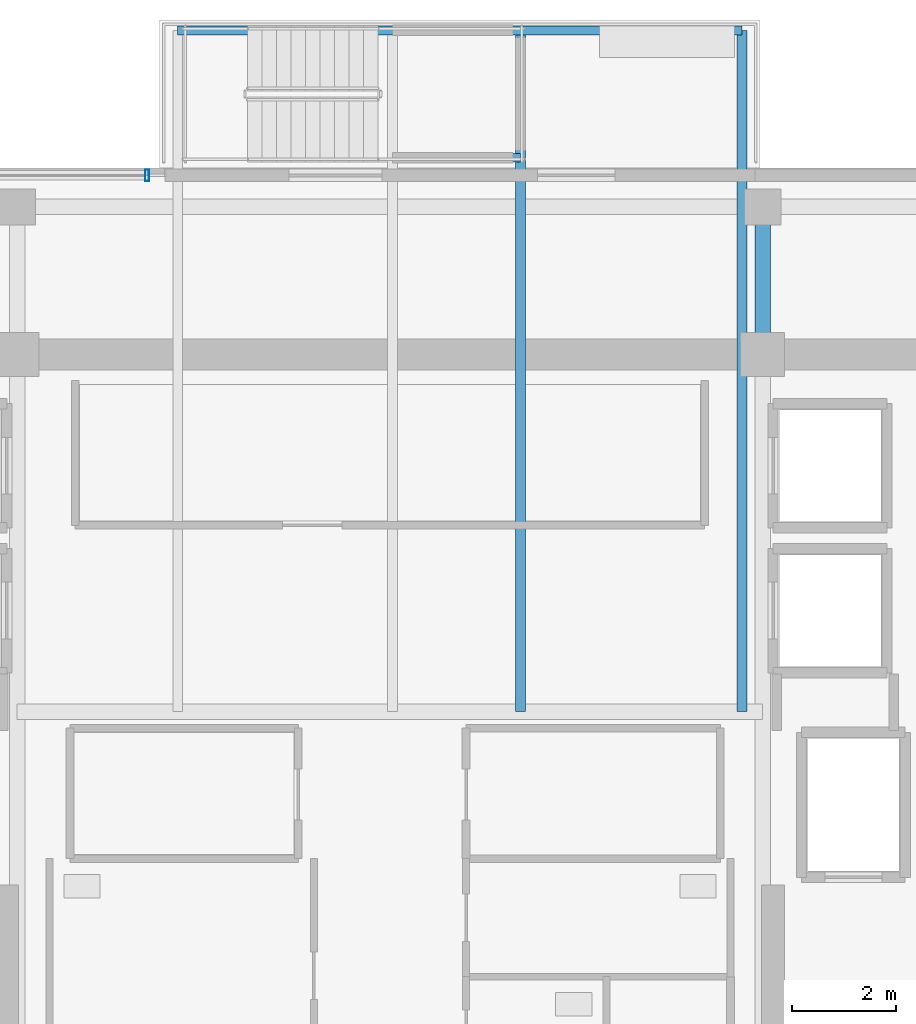
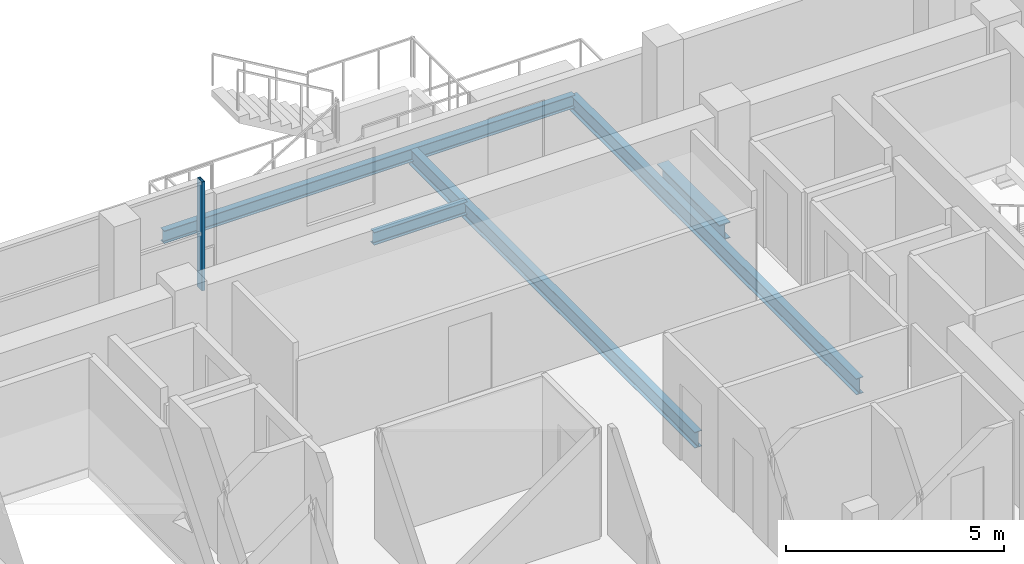
# One storey, part 14 of 24: 5 beams, 1 member, 1 element without a shape of its own.
"""IFC4 building model written with IfcOpenShell, lengths in metres."""

from ifc_helpers import new_model, si_unit, direction, frame, origin, origin_2d, place, context, subcontext, project, spatial, hollow_rectangle, i_section, extrude, source, transform, mapped, material, layer, layer_set, material_profile, profile_set, type_object, element, aggregate, save


model = new_model("IFC4")

# Units and contexts
model_context = context("Model", 3, precision=1e-05, world=origin(), true_north=direction((0.0, 1.0)))
body_context = subcontext(model_context, "Body", "Model", "MODEL_VIEW")
ifc_project = project(units=[si_unit("LENGTHUNIT", "METRE"), si_unit("AREAUNIT", "SQUARE_METRE"), si_unit("VOLUMEUNIT", "CUBIC_METRE"), si_unit("PLANEANGLEUNIT", "RADIAN"), si_unit("MASSUNIT", "GRAM", prefix="KILO")], contexts=[model_context])

# Site, building, storey
site_placement = place(None, origin())
site = spatial("IfcSite", under=ifc_project, at=site_placement, CompositionType="ELEMENT")
building_placement = place(site_placement, origin())
building = spatial("IfcBuilding", under=site, at=building_placement, Name="Zarnakvel Exchange Tower", CompositionType="ELEMENT")
storey_placement = place(building_placement, frame((0.0, 0.0, 205.60009765625)))
storey = spatial("IfcBuildingStorey", under=building, at=storey_placement, Name="L57", CompositionType="ELEMENT", Elevation=205.60009765625)

# Beams
ifc_material_1 = material(Name="Steel S355", Category="steel")
ifc_material_profile_1 = material_profile(ifc_material_1, i_section(OverallWidth=0.18994140625, OverallDepth=0.449951171875, WebThickness=0.009521484375, FlangeThickness=0.0146484375, FilletRadius=0.02099609375, at=origin_2d()))
ifc_profile_set_1 = profile_set([ifc_material_profile_1], Name="Steel S355")
beam_type_1 = type_object("IfcBeamType", Name="B-05", PredefinedType="JOIST", material=ifc_profile_set_1)
for number, where, z_axis, x_axis, name in (
    (1, (6.800048828125, 6.60009765625, -0.47509765625), (0.0, 1.0, 0.0), (-1.0, 0.0, 0.0), "L57 North Spiral Terrace East Rim Beam"),
    (2, (2.52001953125, 6.60009765625, -0.47509765625), (0.0, 1.0, 0.0), (-1.0, 0.0, 0.0), "L57 Continuous North Spiral Terrace Beam E"),
):
    element("IfcBeam", number, at=place(storey_placement, frame(where, z_axis=z_axis, x_axis=x_axis)), inside=storey, type_object=beam_type_1, Name=name, PredefinedType="JOIST", context=body_context, shape_type="SweptSolid", body=[
        extrude(i_section(OverallWidth=0.18994140625, OverallDepth=0.449951171875, WebThickness=0.009521484375, FlangeThickness=0.0146484375, FilletRadius=0.02099609375, at=origin_2d()), origin(), (0.0, 0.0, 1.0), 13.159912109375),
    ])
ifc_material_profile_2 = material_profile(ifc_material_1, i_section(OverallWidth=0.169921875, OverallDepth=0.360107421875, WebThickness=0.008056640625, FlangeThickness=0.0126953125, FilletRadius=0.01806640625, at=origin_2d()))
ifc_profile_set_2 = profile_set([ifc_material_profile_2], Name="Steel S355")
beam_type_2 = type_object("IfcBeamType", Name="B-07", PredefinedType="JOIST", material=ifc_profile_set_2)
beam_1_placement = place(storey_placement, frame((-4.10009765625, 19.760009765625, -0.43017578125), z_axis=(1.0, 0.0, 0.0), x_axis=(0.0, 1.0, 0.0)))
element("IfcBeam", 3, at=beam_1_placement, inside=storey, type_object=beam_type_2, Name="L57 Spiral Terrace Edge Beam", PredefinedType="JOIST", context=body_context, shape_type="SweptSolid", body=[
    extrude(i_section(OverallWidth=0.169921875, OverallDepth=0.360107421875, WebThickness=0.008056640625, FlangeThickness=0.0126953125, FilletRadius=0.01806640625, at=origin_2d()), origin(), (0.0, 0.0, 1.0), 10.900146484375),
])
beam_2_placement = place(storey_placement, frame((0.050048828125, 17.300048828125, -0.43017578125), z_axis=(1.0, 0.0, 0.0), x_axis=(0.0, 1.0, 0.0)))
element("IfcBeam", 4, at=beam_2_placement, inside=storey, type_object=beam_type_2, Name="L57 Terrace Stair Plinth Inner Beam", PredefinedType="JOIST", context=body_context, shape_type="SweptSolid", body=[
    extrude(i_section(OverallWidth=0.169921875, OverallDepth=0.360107421875, WebThickness=0.008056640625, FlangeThickness=0.0126953125, FilletRadius=0.01806640625, at=origin_2d()), origin(), (0.0, 0.0, 1.0), 2.469970703125),
])
ifc_material_profile_3 = material_profile(ifc_material_1, i_section(OverallWidth=0.300048828125, OverallDepth=0.449951171875, WebThickness=0.013916015625, FlangeThickness=0.02587890625, FilletRadius=0.027099609375, at=origin_2d()))
ifc_profile_set_3 = profile_set([ifc_material_profile_3], Name="Steel S355")
beam_type_3 = type_object("IfcBeamType", Name="G-07", PredefinedType="BEAM", material=ifc_profile_set_3)
beam_3_placement = place(storey_placement, frame((7.199951171875, 13.5, -0.47509765625), z_axis=(0.0, 1.0, 0.0), x_axis=(-1.0, 0.0, 0.0)))
element("IfcBeam", 5, at=beam_3_placement, inside=storey, type_object=beam_type_3, Name="L57 Tower N-S Frame Beam", PredefinedType="BEAM", context=body_context, shape_type="SweptSolid", body=[
    extrude(i_section(OverallWidth=0.300048828125, OverallDepth=0.449951171875, WebThickness=0.013916015625, FlangeThickness=0.02587890625, FilletRadius=0.027099609375, at=origin_2d()), origin(), (0.0, 0.0, 1.0), 2.85009765625),
])

# Curtain wall, member
ifc_material_2 = material(Name="Architectural Bronze Anodised Aluminium", Category="aluminium")
ifc_layer = layer(ifc_material_2, 0.219970703125)
ifc_layer_set = layer_set([ifc_layer], Name="Architectural Bronze Anodised Aluminium")
curtain_wall_type = type_object("IfcCurtainWallType", Name="CW-03", PredefinedType="NOTDEFINED", material=ifc_layer_set)
curtain_wall_placement = place(storey_placement, origin())
curtain_wall = element("IfcCurtainWall", 6, at=curtain_wall_placement, inside=storey, type_object=curtain_wall_type, Name="L57 Curtain Wall CW-L57-N1 (CW-03)", PredefinedType="NOTDEFINED")
ifc_material_profile_4 = material_profile(ifc_material_2, hollow_rectangle(XDim=0.219970703125, YDim=0.080078125, WallThickness=0.0048828125, at=origin_2d()))
ifc_profile_set_4 = profile_set([ifc_material_profile_4], Name="Architectural Bronze Anodised Aluminium")
member_type = type_object("IfcMemberType", Name="CWM-03", PredefinedType="MULLION", material=ifc_profile_set_4)
shared_shape = source(origin(), body_context, "Body", "SweptSolid", [
    extrude(hollow_rectangle(XDim=0.219970703125, YDim=0.080078125, WallThickness=0.0048828125, at=origin_2d()), origin(), (0.0, 0.0, 1.0), 3.054931640625),
])
member_placement = place(storey_placement, frame((-4.68994140625, 16.9599609375, 0.0), z_axis=(0.0, 0.0, 1.0), x_axis=(0.0, 1.0, 0.0)))
member = element("IfcMember", 7, at=member_placement, type_object=member_type, Name="CW-03 mullion 3", PredefinedType="MULLION", context=body_context, shape_type="MappedRepresentation", body=[
    mapped(shared_shape, transform((0.0, 0.0, 0.0), x_axis=(1.0, 0.0, 0.0), y_axis=(0.0, 1.0, 0.0), z_axis=(0.0, 0.0, 1.0), scale=1.0)),
])
aggregate(curtain_wall, [member])

save(model, "model.ifc")
